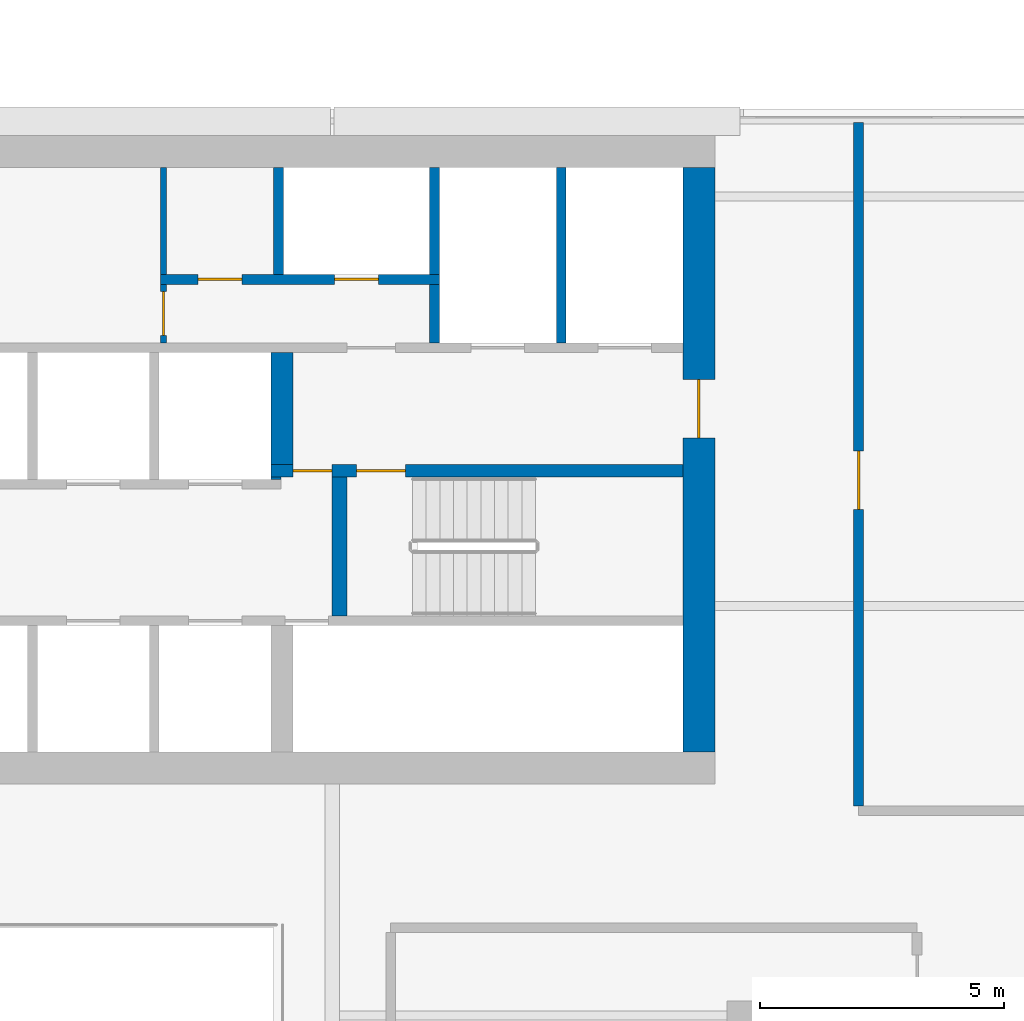
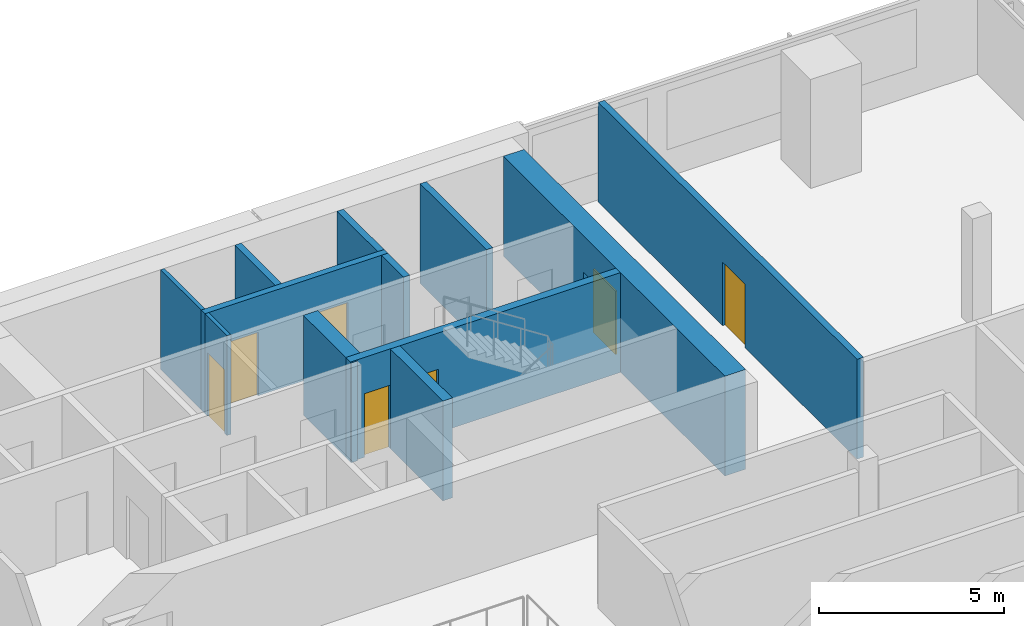
# One storey, part 21 of 25: 13 walls, 7 doors, 7 openings.
"""IFC4 building model written with IfcOpenShell, lengths in metres."""

import ifcopenshell
import ifcopenshell.guid

model = None  # the IFC model being written
_history = None  # IfcOwnerHistory: only IFC2X3 demands one
_inside = {}  # id of a spatial element -> (the spatial element, [elements in it])
_under = {}  # id of a project, library or spatial element -> (it, [spatial elements below it])
_declared = {}  # id of a project -> (the project, [libraries it declares])
_typed = {}  # id of a type object -> (the type object, [elements of that type])
_made_of = {}  # id of a material, layer set ... -> (it, [elements and type objects made of it])


def new_model(schema):
    """Start an empty IFC model of exactly this schema.

    Asked for "IFC4X3", IfcOpenShell would pick the latest addendum, in which some entities
    have other attributes; the version numbers below select the first issue.
    IFC2X3 requires an IfcOwnerHistory on every rooted entity: one is made here for all.
    """
    global model, _history
    if schema == "IFC4X3":
        model = ifcopenshell.file(schema_version=(4, 3, 0, 0))
    else:
        model = ifcopenshell.file(schema=schema)
    _inside.clear()
    _under.clear()
    _declared.clear()
    _typed.clear()
    _made_of.clear()
    _history = None
    if model.schema == "IFC2X3":
        org = make("IfcOrganization", Name="unknown")
        user = make(
            "IfcPersonAndOrganization",
            ThePerson=make("IfcPerson", FamilyName="unknown"),
            TheOrganization=org,
        )
        app = make(
            "IfcApplication",
            ApplicationDeveloper=org,
            Version="unknown",
            ApplicationFullName="unknown",
            ApplicationIdentifier="unknown",
        )
        _history = make(
            "IfcOwnerHistory",
            OwningUser=user,
            OwningApplication=app,
            ChangeAction="ADDED",
            CreationDate=0,
        )
    return model


def make(cls, **values):
    """One entity of the class cls with the attributes given. An attribute that is None is left unset."""
    return model.create_entity(
        cls, **{name: value for name, value in values.items() if value is not None}
    )


def rooted(cls, **values):
    """An entity with a GlobalId (a new one), such as an element, a storey or a relation."""
    return make(cls, GlobalId=ifcopenshell.guid.new(), OwnerHistory=_history, **values)


def si_unit(unit_type, name, prefix=None):
    """IfcSIUnit, for example si_unit("LENGTHUNIT", "METRE", prefix="MILLI")."""
    return make("IfcSIUnit", UnitType=unit_type, Prefix=prefix, Name=name)


def assignment(units):
    """IfcUnitAssignment: the units of a project."""
    return None if units is None else make("IfcUnitAssignment", Units=units)


def point(xyz):
    """IfcCartesianPoint."""
    return None if xyz is None else make("IfcCartesianPoint", Coordinates=xyz)


def direction(xyz):
    """IfcDirection."""
    return None if xyz is None else make("IfcDirection", DirectionRatios=xyz)


def frame(location, z_axis=None, x_axis=None):
    """IfcAxis2Placement3D, a coordinate frame: its origin and axes. An axis left out is left unset."""
    return make(
        "IfcAxis2Placement3D",
        Location=point(location),
        Axis=direction(z_axis),
        RefDirection=direction(x_axis),
    )


def frame_2d(location, x_axis=None):
    """IfcAxis2Placement2D, a coordinate frame in the plane: its origin and x axis."""
    return make(
        "IfcAxis2Placement2D", Location=point(location), RefDirection=direction(x_axis)
    )


def origin():
    """The frame at (0, 0, 0) with its axes left unset."""
    return frame((0.0, 0.0, 0.0))


def place(relative_to, where):
    """IfcLocalPlacement: puts the frame where relative to a parent placement (None: the world)."""
    return make(
        "IfcLocalPlacement", PlacementRelTo=relative_to, RelativePlacement=where
    )


def context(
    kind, dimensions, precision=None, world=None, true_north=None, identifier=None
):
    """IfcGeometricRepresentationContext, for example the 3D "Model" context."""
    return make(
        "IfcGeometricRepresentationContext",
        ContextIdentifier=identifier,
        ContextType=kind,
        CoordinateSpaceDimension=dimensions,
        Precision=precision,
        WorldCoordinateSystem=world,
        TrueNorth=true_north,
    )


def subcontext(parent, identifier, kind, view, scale=None):
    """IfcGeometricRepresentationSubContext, for example "Body" below "Model"."""
    return make(
        "IfcGeometricRepresentationSubContext",
        ContextIdentifier=identifier,
        ContextType=kind,
        ParentContext=parent,
        TargetScale=scale,
        TargetView=view,
    )


def project(units=None, contexts=None):
    """IfcProject with its units and contexts."""
    return rooted(
        "IfcProject",
        Name="project",
        RepresentationContexts=contexts,
        UnitsInContext=assignment(units),
    )


def spatial(cls, under=None, at=None, **own):
    """A site, building, storey or space (cls), placed at a placement, below another one or the project."""
    s = rooted(cls, ObjectPlacement=at, **own)
    if under is not None:
        _under.setdefault(under.id(), (under, []))[1].append(s)
    return s


def profile(cls, at=None, kind="AREA", **sizes):
    """A parametric profile (cls). Its sizes go by their IFC names, for example OverallWidth=200.0."""
    return make(cls, ProfileType=kind, Position=at, **sizes)


def rectangle(**sizes):
    """IfcRectangleProfileDef."""
    return profile("IfcRectangleProfileDef", **sizes)


def extrude(swept, where, along, depth):
    """IfcExtrudedAreaSolid: the profile swept, set in the frame where, extruded along a direction by depth."""
    return make(
        "IfcExtrudedAreaSolid",
        SweptArea=swept,
        Position=where,
        ExtrudedDirection=direction(along),
        Depth=depth,
    )


def shape(context_of_items, identifier, shape_type, items):
    """IfcShapeRepresentation: the items that make up one representation, for example the "Body"."""
    return make(
        "IfcShapeRepresentation",
        ContextOfItems=context_of_items,
        RepresentationIdentifier=identifier,
        RepresentationType=shape_type,
        Items=items,
    )


def material(Name=None, Category=None):
    """IfcMaterial."""
    return make("IfcMaterial", Name=Name, Category=Category)


def layer(
    of_material, thickness, ventilated=None, Name=None, Category=None, Priority=None
):
    """IfcMaterialLayer: one layer of a wall or slab, of a material (None: an air gap)."""
    return make(
        "IfcMaterialLayer",
        Material=of_material,
        LayerThickness=thickness,
        IsVentilated=ventilated,
        Name=Name,
        Category=Category,
        Priority=Priority,
    )


def layer_set(layers, Name=None):
    """IfcMaterialLayerSet."""
    return make("IfcMaterialLayerSet", MaterialLayers=layers, LayerSetName=Name)


def made_of(thing, what):
    """Note that an element or type object is made of a material, layer set ...; save() writes the relation."""
    if what is not None:
        _made_of.setdefault(what.id(), (what, []))[1].append(thing)
    return thing


def type_object(cls, material=None, **own):
    """A type object (cls), such as IfcWallType, which elements share."""
    return made_of(rooted(cls, **own), material)


def element(
    cls,
    number,
    at=None,
    inside=None,
    cuts=None,
    type_object=None,
    material=None,
    context=None,
    identifier="Body",
    shape_type=None,
    held_by="IfcProductDefinitionShape",
    body=None,
    shapes=None,
    **own,
):
    """One element of the class cls, such as IfcWall. Its Tag is "e" and its number.

    at: its placement. inside: the storey or other place that contains it. cuts: it is an
    opening in that element (IfcRelVoidsElement). A single representation is given by context,
    identifier, shape_type and body (its items); several are given by shapes. held_by: the class
    of the entity that holds the representations. save() writes the other relations.
    """
    e = rooted(cls, Tag="e%d" % number, ObjectPlacement=at, **own)
    if body is not None:
        shapes = [shape(context, identifier, shape_type, body)]
    if shapes is not None:
        e.Representation = make(held_by, Representations=shapes)
    if inside is not None:
        _inside.setdefault(inside.id(), (inside, []))[1].append(e)
    if cuts is not None:
        rooted(
            "IfcRelVoidsElement", RelatingBuildingElement=cuts, RelatedOpeningElement=e
        )
    if type_object is not None:
        _typed.setdefault(type_object.id(), (type_object, []))[1].append(e)
    return made_of(e, material)


def fill(opening, filler):
    """IfcRelFillsElement: the door or window that sits in an opening."""
    return rooted(
        "IfcRelFillsElement",
        RelatingOpeningElement=opening,
        RelatedBuildingElement=filler,
    )


def aggregate(whole, parts):
    """IfcRelAggregates: a whole, such as a stair, and the parts it consists of."""
    return rooted("IfcRelAggregates", RelatingObject=whole, RelatedObjects=parts)


def save(model, path):
    """Write the relations noted so far, then the file.

    IfcRelAggregates (storeys below a building ...), IfcRelContainedInSpatialStructure (elements
    in a storey), IfcRelDefinesByType, IfcRelAssociatesMaterial and IfcRelDeclares: one each for
    every whole, place, type object, material and project.
    """
    for whole, parts in _under.values():
        aggregate(whole, parts)
    for where, things in _inside.values():
        rooted(
            "IfcRelContainedInSpatialStructure",
            RelatedElements=things,
            RelatingStructure=where,
        )
    for kind, things in _typed.values():
        rooted("IfcRelDefinesByType", RelatedObjects=things, RelatingType=kind)
    for what, things in _made_of.values():
        rooted("IfcRelAssociatesMaterial", RelatedObjects=things, RelatingMaterial=what)
    for by, libraries in _declared.values():
        rooted("IfcRelDeclares", RelatingContext=by, RelatedDefinitions=libraries)
    model.write(path)


model = new_model("IFC4")

# Units and contexts
model_context = context("Model", 3, precision=1e-05, world=origin(), true_north=direction((0.0, 1.0)))
body_context = subcontext(model_context, "Body", "Model", "MODEL_VIEW")
ifc_project = project(units=[si_unit("LENGTHUNIT", "METRE"), si_unit("AREAUNIT", "SQUARE_METRE"), si_unit("VOLUMEUNIT", "CUBIC_METRE"), si_unit("PLANEANGLEUNIT", "RADIAN"), si_unit("MASSUNIT", "GRAM", prefix="KILO")], contexts=[model_context])

# Site, building, storey
site_placement = place(None, origin())
site = spatial("IfcSite", under=ifc_project, at=site_placement, CompositionType="ELEMENT")
building_placement = place(site_placement, origin())
building = spatial("IfcBuilding", under=site, at=building_placement, Name="Saffron Gate Tower", CompositionType="ELEMENT")
storey_placement = place(building_placement, frame((0.0, 0.0, 248.699951171875)))
storey = spatial("IfcBuildingStorey", under=building, at=storey_placement, Name="L61", CompositionType="ELEMENT", Elevation=248.699951171875)

# Wall, openings, doors
ifc_material_1 = material(Name="Concrete C60", Category="concrete")
ifc_layer_1 = layer(ifc_material_1, 0.25)
ifc_layer_set_1 = layer_set([ifc_layer_1], Name="CW14 RC core wall 250 C60")
wall_type_1 = type_object("IfcWallType", Name="CW14 RC core wall 250 C60", PredefinedType="SOLIDWALL", material=ifc_layer_set_1)
wall_1_placement = place(storey_placement, frame((98.949951171875, 68.175048828125, 0.0), z_axis=(0.0, 0.0, 1.0), x_axis=(1.0, 0.0, 0.0)))
wall_1 = element("IfcWall", 1, at=wall_1_placement, inside=storey, type_object=wall_type_1, Name="Wall CW14-L61-29", PredefinedType="SOLIDWALL", context=body_context, shape_type="SweptSolid", body=[
    extrude(rectangle(XDim=8.449951171875, YDim=0.25, at=frame_2d((4.22509765625, 0.0))), origin(), (0.0, 0.0, 1.0), 3.300048828125),
])
opening_1_placement = place(wall_1_placement, frame((0.449951171875, 0.0, 0.0)))
opening_1 = element("IfcOpeningElement", 2, at=opening_1_placement, cuts=wall_1, Name="Opening CR-05", PredefinedType="OPENING", context=body_context, shape_type="SweptSolid", body=[
    extrude(rectangle(XDim=0.800048828125, YDim=2.10009765625, at=frame_2d((0.39990234375, 1.050048828125))), frame((0.0, 0.135009765625, 0.0), z_axis=(0.0, -1.0, 0.0), x_axis=(1.0, 0.0, 0.0)), (0.0, 0.0, 1.0), 0.27001953125),
])
opening_2_placement = place(wall_1_placement, frame((1.75, 0.0, 0.0)))
opening_2 = element("IfcOpeningElement", 3, at=opening_2_placement, cuts=wall_1, Name="Opening CR-16", PredefinedType="OPENING", context=body_context, shape_type="SweptSolid", body=[
    extrude(rectangle(XDim=1.0, YDim=2.10009765625, at=frame_2d((0.5, 1.050048828125))), frame((0.0, 0.135009765625, 0.0), z_axis=(0.0, -1.0, 0.0), x_axis=(1.0, 0.0, 0.0)), (0.0, 0.0, 1.0), 0.27001953125),
])
ifc_material_2 = material(Name="Steel fire door set", Category="steel")
door_type_1 = type_object("IfcDoorType", Name="CD5 Stair door 1000x2100 EI 120", OperationType="NOTDEFINED", PredefinedType="DOOR", material=ifc_material_2)
door_1_placement = place(opening_2_placement, origin())
door_1 = element("IfcDoor", 4, at=door_1_placement, inside=storey, type_object=door_type_1, Name="DOOR CR-16", OperationType="SINGLE_SWING_RIGHT", OverallHeight=2.10009765625, OverallWidth=1.0, PredefinedType="DOOR", context=body_context, shape_type="SweptSolid", body=[
    extrude(rectangle(XDim=1.0, YDim=2.10009765625, at=frame_2d((0.5, 1.050048828125))), frame((0.0, 0.02490234375, 0.0), z_axis=(0.0, -1.0, 0.0), x_axis=(1.0, 0.0, 0.0)), (0.0, 0.0, 1.0), 0.050048828125),
])
fill(opening_2, door_1)
door_type_2 = type_object("IfcDoorType", Name="CD6 Lobby door 800x2100 EI 120", OperationType="NOTDEFINED", PredefinedType="DOOR", material=ifc_material_2)
door_2_placement = place(opening_1_placement, origin())
door_2 = element("IfcDoor", 5, at=door_2_placement, inside=storey, type_object=door_type_2, Name="DOOR CR-05", OperationType="SINGLE_SWING_LEFT", OverallHeight=2.10009765625, OverallWidth=0.800048828125, PredefinedType="DOOR", context=body_context, shape_type="SweptSolid", body=[
    extrude(rectangle(XDim=0.800048828125, YDim=2.10009765625, at=frame_2d((0.39990234375, 1.050048828125))), frame((0.0, 0.02490234375, 0.0), z_axis=(0.0, -1.0, 0.0), x_axis=(1.0, 0.0, 0.0)), (0.0, 0.0, 1.0), 0.050048828125),
])
fill(opening_1, door_2)

# Walls
ifc_layer_2 = layer(ifc_material_1, 0.199951171875)
ifc_layer_set_2 = layer_set([ifc_layer_2], Name="CW15 RC core wall 200 C60")
wall_type_2 = type_object("IfcWallType", Name="CW15 RC core wall 200 C60", PredefinedType="SOLIDWALL", material=ifc_layer_set_2)
wall_2_placement = place(storey_placement, frame((102.300048828125, 70.800048828125, 0.0), z_axis=(0.0, 0.0, 1.0), x_axis=(0.0, 1.0, 0.0)))
element("IfcWall", 6, at=wall_2_placement, inside=storey, type_object=wall_type_2, Name="Wall CW15-L61-38", PredefinedType="SOLIDWALL", context=body_context, shape_type="SweptSolid", body=[
    extrude(rectangle(XDim=1.199951171875, YDim=0.199951171875, at=frame_2d((0.60009765625, 0.0))), origin(), (0.0, 0.0, 1.0), 3.300048828125),
])
wall_3_placement = place(storey_placement, frame((104.89990234375, 70.800048828125, 0.0), z_axis=(0.0, 0.0, 1.0), x_axis=(0.0, 1.0, 0.0)))
element("IfcWall", 7, at=wall_3_placement, inside=storey, type_object=wall_type_2, Name="Wall CW15-L61-39", PredefinedType="SOLIDWALL", context=body_context, shape_type="SweptSolid", body=[
    extrude(rectangle(XDim=3.599853515625, YDim=0.199951171875, at=frame_2d((1.7998046875, 0.0))), origin(), (0.0, 0.0, 1.0), 3.300048828125),
])

# Wall, openings, doors
wall_4_placement = place(storey_placement, frame((96.679931640625, 72.10009765625, 0.0), z_axis=(0.0, 0.0, 1.0), x_axis=(1.0, 0.0, 0.0)))
wall_4 = element("IfcWall", 8, at=wall_4_placement, inside=storey, type_object=wall_type_2, Name="Wall CW15-L61-41", PredefinedType="SOLIDWALL", context=body_context, shape_type="SweptSolid", body=[
    extrude(rectangle(XDim=5.719970703125, YDim=0.199951171875, at=frame_2d((2.85986328125, 0.0))), origin(), (0.0, 0.0, 1.0), 3.300048828125),
])
opening_3_placement = place(wall_4_placement, frame((0.77001953125, 0.0, 0.0)))
opening_3 = element("IfcOpeningElement", 9, at=opening_3_placement, cuts=wall_4, Name="Opening CR-50", PredefinedType="OPENING", context=body_context, shape_type="SweptSolid", body=[
    extrude(rectangle(XDim=0.89990234375, YDim=2.10009765625, at=frame_2d((0.449951171875, 1.050048828125))), frame((0.0, 0.10986328125, 0.0), z_axis=(0.0, -1.0, 0.0), x_axis=(1.0, 0.0, 0.0)), (0.0, 0.0, 1.0), 0.219970703125),
])
opening_4_placement = place(wall_4_placement, frame((3.570068359375, 0.0, 0.0)))
opening_4 = element("IfcOpeningElement", 10, at=opening_4_placement, cuts=wall_4, Name="Opening CR-70", PredefinedType="OPENING", context=body_context, shape_type="SweptSolid", body=[
    extrude(rectangle(XDim=0.89990234375, YDim=2.10009765625, at=frame_2d((0.449951171875, 1.050048828125))), frame((0.0, 0.10986328125, 0.0), z_axis=(0.0, -1.0, 0.0), x_axis=(1.0, 0.0, 0.0)), (0.0, 0.0, 1.0), 0.219970703125),
])
door_type_3 = type_object("IfcDoorType", Name="CD2 Riser door 900x2100 EI 60", OperationType="NOTDEFINED", PredefinedType="DOOR", material=ifc_material_2)
door_3_placement = place(opening_4_placement, origin())
door_3 = element("IfcDoor", 11, at=door_3_placement, inside=storey, type_object=door_type_3, Name="DOOR CR-70", OperationType="SINGLE_SWING_LEFT", OverallHeight=2.10009765625, OverallWidth=0.89990234375, PredefinedType="DOOR", context=body_context, shape_type="SweptSolid", body=[
    extrude(rectangle(XDim=0.89990234375, YDim=2.10009765625, at=frame_2d((0.449951171875, 1.050048828125))), frame((0.0, 0.02490234375, 0.0), z_axis=(0.0, -1.0, 0.0), x_axis=(1.0, 0.0, 0.0)), (0.0, 0.0, 1.0), 0.050048828125),
])
fill(opening_4, door_3)
door_type_4 = type_object("IfcDoorType", Name="CD9 Room door 900x2100 EI 60", OperationType="NOTDEFINED", PredefinedType="DOOR", material=ifc_material_2)
door_4_placement = place(opening_3_placement, origin())
door_4 = element("IfcDoor", 12, at=door_4_placement, inside=storey, type_object=door_type_4, Name="DOOR CR-50", OperationType="SINGLE_SWING_LEFT", OverallHeight=2.10009765625, OverallWidth=0.89990234375, PredefinedType="DOOR", context=body_context, shape_type="SweptSolid", body=[
    extrude(rectangle(XDim=0.89990234375, YDim=2.10009765625, at=frame_2d((0.449951171875, 1.050048828125))), frame((0.0, 0.02490234375, 0.0), z_axis=(0.0, -1.0, 0.0), x_axis=(1.0, 0.0, 0.0)), (0.0, 0.0, 1.0), 0.050048828125),
])
fill(opening_3, door_4)

# Walls
for number, where, z_axis, x_axis, name in (
    (13, (99.10009765625, 72.199951171875, 0.0), (0.0, 0.0, 1.0), (0.0, 1.0, 0.0), "Wall CW15-L61-48"),
    (14, (102.300048828125, 72.199951171875, 0.0), (0.0, 0.0, 1.0), (0.0, 1.0, 0.0), "Wall CW15-L61-49"),
):
    element("IfcWall", number, at=place(storey_placement, frame(where, z_axis=z_axis, x_axis=x_axis)), inside=storey, type_object=wall_type_2, Name=name, PredefinedType="SOLIDWALL", context=body_context, shape_type="SweptSolid", body=[
        extrude(rectangle(XDim=2.199951171875, YDim=0.199951171875, at=frame_2d((1.10009765625, 0.0))), origin(), (0.0, 0.0, 1.0), 3.300048828125),
    ])
ifc_layer_3 = layer(ifc_material_1, 0.449951171875)
ifc_layer_set_3 = layer_set([ifc_layer_3], Name="CW16 RC core wall 450 C60")
wall_type_3 = type_object("IfcWallType", Name="CW16 RC core wall 450 C60", PredefinedType="SOLIDWALL", material=ifc_layer_set_3)
wall_5_placement = place(storey_placement, frame((99.175048828125, 68.300048828125, 0.0), z_axis=(0.0, 0.0, 1.0), x_axis=(0.0, 1.0, 0.0)))
element("IfcWall", 15, at=wall_5_placement, inside=storey, type_object=wall_type_3, Name="Wall CW16-L61-31", PredefinedType="SOLIDWALL", context=body_context, shape_type="SweptSolid", body=[
    extrude(rectangle(XDim=2.300048828125, YDim=0.449951171875, at=frame_2d((1.14990234375, 0.0))), origin(), (0.0, 0.0, 1.0), 3.300048828125),
])
ifc_layer_4 = layer(ifc_material_1, 0.300048828125)
ifc_layer_set_4 = layer_set([ifc_layer_4], Name="CW17 RC core wall 300 C60")
wall_type_4 = type_object("IfcWallType", Name="CW17 RC core wall 300 C60", PredefinedType="SOLIDWALL", material=ifc_layer_set_4)
wall_6_placement = place(storey_placement, frame((100.35009765625, 65.199951171875, 0.0), z_axis=(0.0, 0.0, 1.0), x_axis=(0.0, 1.0, 0.0)))
element("IfcWall", 16, at=wall_6_placement, inside=storey, type_object=wall_type_4, Name="Wall CW17-L61-19", PredefinedType="SOLIDWALL", context=body_context, shape_type="SweptSolid", body=[
    extrude(rectangle(XDim=2.85009765625, YDim=0.300048828125, at=frame_2d((1.425048828125, 0.0))), origin(), (0.0, 0.0, 1.0), 3.300048828125),
])
ifc_layer_5 = layer(ifc_material_1, 0.050048828125)
ifc_layer_set_5 = layer_set([ifc_layer_5], Name="CW18 RC core wall 50 C60")
wall_type_5 = type_object("IfcWallType", Name="CW18 RC core wall 50 C60", PredefinedType="SOLIDWALL", material=ifc_layer_set_5)
wall_7_placement = place(storey_placement, frame((98.949951171875, 68.02490234375, 0.0), z_axis=(0.0, 0.0, 1.0), x_axis=(1.0, 0.0, 0.0)))
element("IfcWall", 17, at=wall_7_placement, inside=storey, type_object=wall_type_5, Name="Wall CW18-L61-27", PredefinedType="SOLIDWALL", context=body_context, shape_type="SweptSolid", body=[
    extrude(rectangle(XDim=0.199951171875, YDim=0.050048828125, at=frame_2d((0.10009765625, 0.0))), origin(), (0.0, 0.0, 1.0), 3.300048828125),
])

# Wall, opening, door
ifc_layer_6 = layer(ifc_material_1, 0.64990234375)
ifc_layer_set_6 = layer_set([ifc_layer_6], Name="CW20 RC core wall 650 C60")
wall_type_6 = type_object("IfcWallType", Name="CW20 RC core wall 650 C60", PredefinedType="SOLIDWALL", material=ifc_layer_set_6)
wall_8_placement = place(storey_placement, frame((107.72509765625, 62.39990234375, 0.0), z_axis=(0.0, 0.0, 1.0), x_axis=(0.0, 1.0, 0.0)))
wall_8 = element("IfcWall", 18, at=wall_8_placement, inside=storey, type_object=wall_type_6, Name="Wall CW20-L61-4", PredefinedType="SOLIDWALL", context=body_context, shape_type="SweptSolid", body=[
    extrude(rectangle(XDim=12.0, YDim=0.64990234375, at=frame_2d((6.0, 0.0))), origin(), (0.0, 0.0, 1.0), 3.300048828125),
])
opening_5_placement = place(wall_8_placement, frame((6.449951171875, 0.0, 0.0)))
opening_5 = element("IfcOpeningElement", 19, at=opening_5_placement, cuts=wall_8, Name="Opening CR-08", PredefinedType="OPENING", context=body_context, shape_type="SweptSolid", body=[
    extrude(rectangle(XDim=1.199951171875, YDim=2.10009765625, at=frame_2d((0.60009765625, 1.050048828125))), frame((0.0, 0.3349609375, 0.0), z_axis=(0.0, -1.0, 0.0), x_axis=(1.0, 0.0, 0.0)), (0.0, 0.0, 1.0), 0.669921875),
])
door_type_5 = type_object("IfcDoorType", Name="CD7 Core entrance door 1200x2100 EI 120", OperationType="NOTDEFINED", PredefinedType="DOOR", material=ifc_material_2)
door_5_placement = place(opening_5_placement, origin())
door_5 = element("IfcDoor", 20, at=door_5_placement, inside=storey, type_object=door_type_5, Name="DOOR CR-08", OperationType="SINGLE_SWING_RIGHT", OverallHeight=2.10009765625, OverallWidth=1.199951171875, PredefinedType="DOOR", context=body_context, shape_type="SweptSolid", body=[
    extrude(rectangle(XDim=1.199951171875, YDim=2.10009765625, at=frame_2d((0.60009765625, 1.050048828125))), frame((0.0, 0.02490234375, 0.0), z_axis=(0.0, -1.0, 0.0), x_axis=(1.0, 0.0, 0.0)), (0.0, 0.0, 1.0), 0.050048828125),
])
fill(opening_5, door_5)

ifc_material_3 = material(Name="Gypsum board partition on steel studs", Category="steel")
ifc_layer_7 = layer(ifc_material_3, 0.1201171875)
ifc_layer_set_7 = layer_set([ifc_layer_7], Name="CW8 Core partition 120")
wall_type_7 = type_object("IfcWallType", Name="CW8 Core partition 120", PredefinedType="PARTITIONING", material=ifc_layer_set_7)
wall_9_placement = place(storey_placement, frame((96.739990234375, 70.800048828125, 0.0), z_axis=(0.0, 0.0, 1.0), x_axis=(0.0, 1.0, 0.0)))
wall_9 = element("IfcWall", 21, at=wall_9_placement, inside=storey, type_object=wall_type_7, Name="Wall CW8-L61-37", PredefinedType="PARTITIONING", context=body_context, shape_type="SweptSolid", body=[
    extrude(rectangle(XDim=1.199951171875, YDim=0.1201171875, at=frame_2d((0.60009765625, 0.0))), origin(), (0.0, 0.0, 1.0), 3.300048828125),
])
opening_6_placement = place(wall_9_placement, frame((0.14990234375, 0.0, 0.0)))
opening_6 = element("IfcOpeningElement", 22, at=opening_6_placement, cuts=wall_9, Name="Opening CR-54", PredefinedType="OPENING", context=body_context, shape_type="SweptSolid", body=[
    extrude(rectangle(XDim=0.89990234375, YDim=2.10009765625, at=frame_2d((0.449951171875, 1.050048828125))), frame((0.0, 0.070068359375, 0.0), z_axis=(0.0, -1.0, 0.0), x_axis=(1.0, 0.0, 0.0)), (0.0, 0.0, 1.0), 0.14013671875),
])
door_6_placement = place(opening_6_placement, origin())
door_6 = element("IfcDoor", 23, at=door_6_placement, inside=storey, type_object=door_type_4, Name="DOOR CR-54", OperationType="SINGLE_SWING_LEFT", OverallHeight=2.10009765625, OverallWidth=0.89990234375, PredefinedType="DOOR", context=body_context, shape_type="SweptSolid", body=[
    extrude(rectangle(XDim=0.89990234375, YDim=2.10009765625, at=frame_2d((0.449951171875, 1.050048828125))), frame((0.0, 0.02490234375, 0.0), z_axis=(0.0, -1.0, 0.0), x_axis=(1.0, 0.0, 0.0)), (0.0, 0.0, 1.0), 0.050048828125),
])
fill(opening_6, door_6)

# Wall
wall_10_placement = place(storey_placement, frame((96.739990234375, 72.199951171875, 0.0), z_axis=(0.0, 0.0, 1.0), x_axis=(0.0, 1.0, 0.0)))
element("IfcWall", 24, at=wall_10_placement, inside=storey, type_object=wall_type_7, Name="Wall CW8-L61-47", PredefinedType="PARTITIONING", context=body_context, shape_type="SweptSolid", body=[
    extrude(rectangle(XDim=2.199951171875, YDim=0.1201171875, at=frame_2d((1.10009765625, 0.0))), origin(), (0.0, 0.0, 1.0), 3.300048828125),
])

# Wall, opening, door
ifc_material_4 = material(Name="Clay brick masonry, rendered", Category="masonry")
ifc_layer_8 = layer(ifc_material_4, 0.199951171875)
ifc_layer_set_8 = layer_set([ifc_layer_8], Name="PW3 Corridor wall 200")
wall_type_8 = type_object("IfcWallType", Name="PW3 Corridor wall 200", PredefinedType="PARTITIONING", material=ifc_layer_set_8)
wall_11_placement = place(storey_placement, frame((111.0, 75.320068359375, 0.0), z_axis=(0.0, 0.0, 1.0), x_axis=(0.0, -1.0, 0.0)))
wall_11 = element("IfcWall", 25, at=wall_11_placement, inside=storey, type_object=wall_type_8, Name="Wall D5-70", PredefinedType="PARTITIONING", context=body_context, shape_type="SweptSolid", body=[
    extrude(rectangle(XDim=14.02001953125, YDim=0.199951171875, at=frame_2d((7.010009765625, 0.0))), origin(), (0.0, 0.0, 1.0), 3.300048828125),
])
opening_7_placement = place(wall_11_placement, frame((6.7373046875, 0.0, 0.0)))
opening_7 = element("IfcOpeningElement", 26, at=opening_7_placement, cuts=wall_11, Name="Opening D5-32", PredefinedType="OPENING", context=body_context, shape_type="SweptSolid", body=[
    extrude(rectangle(XDim=1.199951171875, YDim=2.10009765625, at=frame_2d((0.60009765625, 1.050048828125))), frame((0.0, 0.10986328125, 0.0), z_axis=(0.0, -1.0, 0.0), x_axis=(1.0, 0.0, 0.0)), (0.0, 0.0, 1.0), 0.219970703125),
])
ifc_material_5 = material(Name="Timber door set", Category="wood")
door_type_6 = type_object("IfcDoorType", Name="HD1 Hall door 1200x2100", OperationType="NOTDEFINED", PredefinedType="DOOR", material=ifc_material_5)
door_7_placement = place(opening_7_placement, origin())
door_7 = element("IfcDoor", 27, at=door_7_placement, inside=storey, type_object=door_type_6, Name="Door D5-32", OperationType="SINGLE_SWING_RIGHT", OverallHeight=2.10009765625, OverallWidth=1.199951171875, PredefinedType="DOOR", context=body_context, shape_type="SweptSolid", body=[
    extrude(rectangle(XDim=1.199951171875, YDim=2.10009765625, at=frame_2d((0.60009765625, 1.050048828125))), frame((0.0, 0.02490234375, 0.0), z_axis=(0.0, -1.0, 0.0), x_axis=(1.0, 0.0, 0.0)), (0.0, 0.0, 1.0), 0.050048828125),
])
fill(opening_7, door_7)

save(model, "model.ifc")
